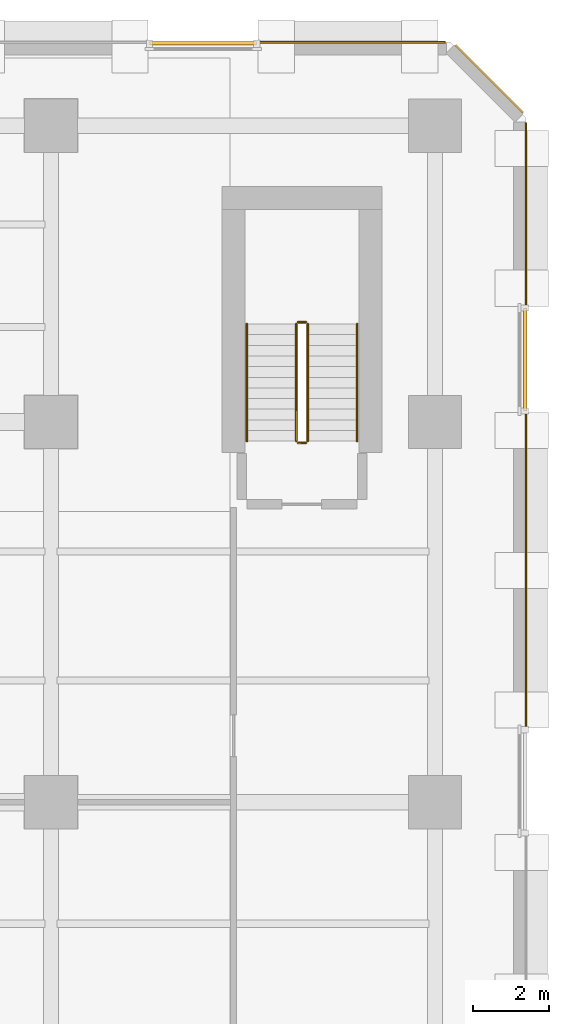
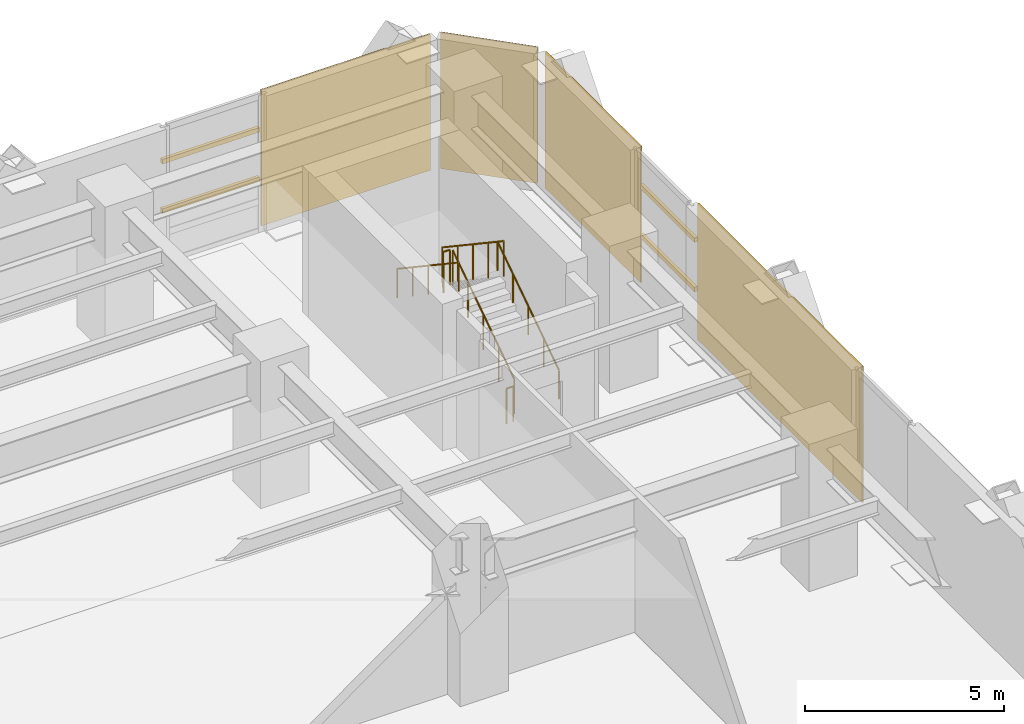
# One storey, part 26 of 26: 6 railings, 4 coverings, 4 shading devices.
"""IFC4 building model written with IfcOpenShell, lengths in metres."""

from ifc_helpers import new_model, si_unit, direction, frame, origin, origin_2d, place, context, subcontext, project, spatial, polyline, rectangle, circle, outline, extrude, material, layer, layer_set, material_profile, profile_set, type_object, element, save


model = new_model("IFC4")

# Units and contexts
model_context = context("Model", 3, precision=1e-05, world=origin(), true_north=direction((0.0, 1.0)))
body_context = subcontext(model_context, "Body", "Model", "MODEL_VIEW")
ifc_project = project(units=[si_unit("LENGTHUNIT", "METRE"), si_unit("AREAUNIT", "SQUARE_METRE"), si_unit("VOLUMEUNIT", "CUBIC_METRE"), si_unit("PLANEANGLEUNIT", "RADIAN"), si_unit("MASSUNIT", "GRAM", prefix="KILO")], contexts=[model_context])

# Site, building, storey
site_placement = place(None, origin())
site = spatial("IfcSite", under=ifc_project, at=site_placement, CompositionType="ELEMENT")
building_placement = place(site_placement, origin())
building = spatial("IfcBuilding", under=site, at=building_placement, Name="Quenlor Broadcast Tower", CompositionType="ELEMENT")
storey_placement = place(building_placement, frame((0.0, 0.0, 14.0)))
storey = spatial("IfcBuildingStorey", under=building, at=storey_placement, Name="L03", CompositionType="ELEMENT", Elevation=14.0)

# Shading devices
ifc_material_1 = material(Name="Architectural Terracotta Ceramic", Category="masonry")
ifc_material_profile = material_profile(ifc_material_1, rectangle(XDim=0.090087890625, YDim=0.139892578125, at=origin_2d()))
ifc_profile_set = profile_set([ifc_material_profile], Name="Architectural Terracotta Ceramic BAG90x140")
shading_device_type = type_object("IfcShadingDeviceType", Name="Copper Terracotta Baguette Solar Screen 140", PredefinedType="USERDEFINED", material=ifc_profile_set)
for number, where, z_axis, x_axis, name in (
    (1, (27.090576171875, 24.972900390625, 1.511962890625), (1.0, 0.0, 0.0), (0.0, 1.0, 0.0), "L03 Terracotta Baguette Screen 1"),
    (2, (27.090576171875, 24.972900390625, 3.02392578125), (1.0, 0.0, 0.0), (0.0, 1.0, 0.0), "L03 Terracotta Baguette Screen 2"),
):
    element("IfcShadingDevice", number, at=place(storey_placement, frame(where, z_axis=z_axis, x_axis=x_axis)), inside=storey, type_object=shading_device_type, Name=name, ObjectType="BAGUETTE", PredefinedType="USERDEFINED", context=body_context, shape_type="SweptSolid", body=[
        extrude(rectangle(XDim=0.090087890625, YDim=0.139892578125, at=origin_2d()), origin(), (0.0, 0.0, 1.0), 2.81884765625),
    ])
for number, where, z_axis, x_axis, name in (
    (3, (36.972900390625, 18.00634765625, 1.511962890625), (0.0, -1.0, 0.0), (1.0, 0.0, 0.0), "L03 Terracotta Baguette Screen 1"),
    (4, (36.972900390625, 18.00634765625, 3.02392578125), (0.0, -1.0, 0.0), (1.0, 0.0, 0.0), "L03 Terracotta Baguette Screen 2"),
):
    element("IfcShadingDevice", number, at=place(storey_placement, frame(where, z_axis=z_axis, x_axis=x_axis)), inside=storey, type_object=shading_device_type, Name=name, ObjectType="BAGUETTE", PredefinedType="USERDEFINED", context=body_context, shape_type="SweptSolid", body=[
        extrude(rectangle(XDim=0.090087890625, YDim=0.139892578125, at=origin_2d()), origin(), (0.0, 0.0, 1.0), 2.712646484375),
    ])

# Coverings
ifc_material_2 = material(Name="Architectural Terracotta Ceramic", Category="masonry")
ifc_layer = layer(ifc_material_2, 0.044921875)
ifc_layer_set = layer_set([ifc_layer], Name="Fluted Terracotta Rainscreen Cladding Panel")
covering_type = type_object("IfcCoveringType", Name="Fluted Terracotta Rainscreen Cladding Panel", PredefinedType="CLADDING", material=ifc_layer_set)
covering_1_placement = place(storey_placement, frame((0.0, 0.0, 0.02001953125)))
element("IfcCovering", 5, at=covering_1_placement, inside=storey, type_object=covering_type, Name="L03 Terracotta Rainscreen Cladding L03-N-FULL-SP7", PredefinedType="CLADDING", context=body_context, shape_type="SweptSolid", body=[
    extrude(outline(polyline([(29.98046875, 24.971923828125), (34.8701171875, 24.971923828125), (34.8701171875, 25.01708984375), (29.98046875, 25.01708984375), (29.98046875, 24.971923828125)])), origin(), (0.0, 0.0, 1.0), 4.159912109375),
])
covering_2_placement = place(storey_placement, frame((0.0, 0.0, 0.02001953125)))
element("IfcCovering", 6, at=covering_2_placement, inside=storey, type_object=covering_type, Name="L03 Terracotta Rainscreen Cladding L03-E-FULL-SP1", PredefinedType="CLADDING", context=body_context, shape_type="SweptSolid", body=[
    extrude(outline(polyline([(36.971923828125, 22.8701171875), (36.971923828125, 18.077392578125), (37.01708984375, 18.077392578125), (37.01708984375, 22.8701171875), (36.971923828125, 22.8701171875)])), origin(), (0.0, 0.0, 1.0), 4.159912109375),
])
covering_3_placement = place(storey_placement, frame((0.0, 0.0, 0.02001953125)))
element("IfcCovering", 7, at=covering_3_placement, inside=storey, type_object=covering_type, Name="L03 Terracotta Rainscreen Cladding L03-E-FULL-SP2", PredefinedType="CLADDING", context=body_context, shape_type="SweptSolid", body=[
    extrude(outline(polyline([(36.971923828125, 15.22265625), (36.971923828125, 6.977294921875), (37.01708984375, 6.977294921875), (37.01708984375, 15.22265625), (36.971923828125, 15.22265625)])), origin(), (0.0, 0.0, 1.0), 4.159912109375),
])
covering_4_placement = place(storey_placement, frame((0.0, 0.0, 0.02001953125)))
element("IfcCovering", 8, at=covering_4_placement, inside=storey, type_object=covering_type, Name="L03 Terracotta Rainscreen Cladding L03-EW-CNE", PredefinedType="CLADDING", context=body_context, shape_type="SweptSolid", body=[
    extrude(outline(polyline([(35.128662109375, 24.90625), (36.90625, 23.128662109375), (36.93798828125, 23.160400390625), (35.160400390625, 24.93798828125), (35.128662109375, 24.90625)])), origin(), (0.0, 0.0, 1.0), 4.159912109375),
])

# Railings
ifc_material_3 = material(Name="Anodised Aluminium", Category="aluminium")
railing_type_1 = type_object("IfcRailingType", Name="Stainless Aluminium Wall Handrail 900", PredefinedType="HANDRAIL", material=ifc_material_3)
railing_1_placement = place(storey_placement, frame((32.550048828125, 14.5, 0.1875)))
element("IfcRailing", 9, at=railing_1_placement, inside=storey, type_object=railing_type_1, Name="L03 ST-4 stair handrail 1", PredefinedType="HANDRAIL", context=body_context, shape_type="SweptSolid", body=[
    extrude(circle(Radius=0.02392578125, at=origin_2d()), frame((0.0, 0.0, 0.8759765625), z_axis=(0.0, 0.830913701846, 0.55640131208), x_axis=(-1.0, 0.0, 0.0)), (0.0, 0.0, 1.0), 3.706787109375),
    extrude(circle(Radius=0.02099609375, at=origin_2d()), origin(), (0.0, 0.0, 1.0), 0.851806640625),
    extrude(circle(Radius=0.02099609375, at=origin_2d()), frame((0.0, 0.77001953125, 0.515625)), (0.0, 0.0, 1.0), 0.851806640625),
    extrude(circle(Radius=0.02099609375, at=origin_2d()), frame((0.0, 1.5400390625, 1.03125)), (0.0, 0.0, 1.0), 0.851806640625),
    extrude(circle(Radius=0.02099609375, at=origin_2d()), frame((0.0, 2.31005859375, 1.546875)), (0.0, 0.0, 1.0), 0.851806640625),
    extrude(circle(Radius=0.02099609375, at=origin_2d()), frame((0.0, 3.080078125, 2.0625)), (0.0, 0.0, 1.0), 0.851806640625),
])
railing_2_placement = place(storey_placement, frame((29.64990234375, 17.580078125, 2.4375)))
element("IfcRailing", 10, at=railing_2_placement, inside=storey, type_object=railing_type_1, Name="L03 ST-4 stair handrail 2", PredefinedType="HANDRAIL", context=body_context, shape_type="SweptSolid", body=[
    extrude(circle(Radius=0.02392578125, at=origin_2d()), frame((0.0, 0.0, 0.8759765625), z_axis=(0.0, -0.830913701846, 0.55640131208), x_axis=(1.0, 0.0, 0.0)), (0.0, 0.0, 1.0), 3.706787109375),
    extrude(circle(Radius=0.02099609375, at=origin_2d()), origin(), (0.0, 0.0, 1.0), 0.851806640625),
    extrude(circle(Radius=0.02099609375, at=origin_2d()), frame((0.0, -0.77001953125, 0.515625)), (0.0, 0.0, 1.0), 0.851806640625),
    extrude(circle(Radius=0.02099609375, at=origin_2d()), frame((0.0, -1.5400390625, 1.03125)), (0.0, 0.0, 1.0), 0.851806640625),
    extrude(circle(Radius=0.02099609375, at=origin_2d()), frame((0.0, -2.31005859375, 1.546875)), (0.0, 0.0, 1.0), 0.851806640625),
    extrude(circle(Radius=0.02099609375, at=origin_2d()), frame((0.0, -3.080078125, 2.0625)), (0.0, 0.0, 1.0), 0.851806640625),
])
ifc_material_4 = material(Name="Steel S355", Category="steel")
railing_type_2 = type_object("IfcRailingType", Name="Tubular Steel S355 Stair Guardrail 1100", PredefinedType="BALUSTRADE", material=ifc_material_4)
railing_3_placement = place(storey_placement, frame((31.25, 14.5, 0.1875)))
element("IfcRailing", 11, at=railing_3_placement, inside=storey, type_object=railing_type_2, Name="L03 ST-4 stair guard 1", PredefinedType="BALUSTRADE", context=body_context, shape_type="SweptSolid", body=[
    extrude(circle(Radius=0.02392578125, at=origin_2d()), frame((0.0, 0.0, 1.076171875), z_axis=(0.0, 0.830913701846, 0.55640131208), x_axis=(-1.0, 0.0, 0.0)), (0.0, 0.0, 1.0), 3.706787109375),
    extrude(circle(Radius=0.02099609375, at=origin_2d()), origin(), (0.0, 0.0, 1.0), 1.052001953125),
    extrude(circle(Radius=0.02099609375, at=origin_2d()), frame((0.0, 0.77001953125, 0.515625)), (0.0, 0.0, 1.0), 1.052001953125),
    extrude(circle(Radius=0.02099609375, at=origin_2d()), frame((0.0, 1.5400390625, 1.03125)), (0.0, 0.0, 1.0), 1.052001953125),
    extrude(circle(Radius=0.02099609375, at=origin_2d()), frame((0.0, 2.31005859375, 1.546875)), (0.0, 0.0, 1.0), 1.052001953125),
    extrude(circle(Radius=0.02099609375, at=origin_2d()), frame((0.0, 3.080078125, 2.0625)), (0.0, 0.0, 1.0), 1.052001953125),
])
railing_4_placement = place(storey_placement, frame((31.199951171875, 17.6298828125, 2.25)))
element("IfcRailing", 12, at=railing_4_placement, inside=storey, type_object=railing_type_2, Name="L03 ST-4 stair guard 2", PredefinedType="BALUSTRADE", context=body_context, shape_type="SweptSolid", body=[
    extrude(circle(Radius=0.02392578125, at=origin_2d()), frame((0.0, 0.0, 1.076171875), z_axis=(-1.0, 0.0, 0.0), x_axis=(0.0, -1.0, 0.0)), (0.0, 0.0, 1.0), 0.199951171875),
    extrude(circle(Radius=0.02099609375, at=origin_2d()), origin(), (0.0, 0.0, 1.0), 1.052001953125),
    extrude(circle(Radius=0.02099609375, at=origin_2d()), frame((-0.199951171875, 0.0, 0.0)), (0.0, 0.0, 1.0), 1.052001953125),
])
railing_5_placement = place(storey_placement, frame((30.949951171875, 17.580078125, 2.4375)))
element("IfcRailing", 13, at=railing_5_placement, inside=storey, type_object=railing_type_2, Name="L03 ST-4 stair guard 3", PredefinedType="BALUSTRADE", context=body_context, shape_type="SweptSolid", body=[
    extrude(circle(Radius=0.02392578125, at=origin_2d()), frame((0.0, 0.0, 1.076171875), z_axis=(0.0, -0.830913701846, 0.55640131208), x_axis=(1.0, 0.0, 0.0)), (0.0, 0.0, 1.0), 3.706787109375),
    extrude(circle(Radius=0.02099609375, at=origin_2d()), origin(), (0.0, 0.0, 1.0), 1.052001953125),
    extrude(circle(Radius=0.02099609375, at=origin_2d()), frame((0.0, -0.77001953125, 0.515625)), (0.0, 0.0, 1.0), 1.052001953125),
    extrude(circle(Radius=0.02099609375, at=origin_2d()), frame((0.0, -1.5400390625, 1.03125)), (0.0, 0.0, 1.0), 1.052001953125),
    extrude(circle(Radius=0.02099609375, at=origin_2d()), frame((0.0, -2.31005859375, 1.546875)), (0.0, 0.0, 1.0), 1.052001953125),
    extrude(circle(Radius=0.02099609375, at=origin_2d()), frame((0.0, -3.080078125, 2.0625)), (0.0, 0.0, 1.0), 1.052001953125),
])
railing_6_placement = place(storey_placement, frame((31.199951171875, 14.449951171875, 0.0)))
element("IfcRailing", 14, at=railing_6_placement, inside=storey, type_object=railing_type_2, Name="L03 ST-4 stair guard 4", PredefinedType="BALUSTRADE", context=body_context, shape_type="SweptSolid", body=[
    extrude(circle(Radius=0.02392578125, at=origin_2d()), frame((0.0, 0.0, 1.076171875), z_axis=(-1.0, 0.0, 0.0), x_axis=(0.0, -1.0, 0.0)), (0.0, 0.0, 1.0), 0.199951171875),
    extrude(circle(Radius=0.02099609375, at=origin_2d()), origin(), (0.0, 0.0, 1.0), 1.052001953125),
    extrude(circle(Radius=0.02099609375, at=origin_2d()), frame((-0.199951171875, 0.0, 0.0)), (0.0, 0.0, 1.0), 1.052001953125),
])

save(model, "model.ifc")
